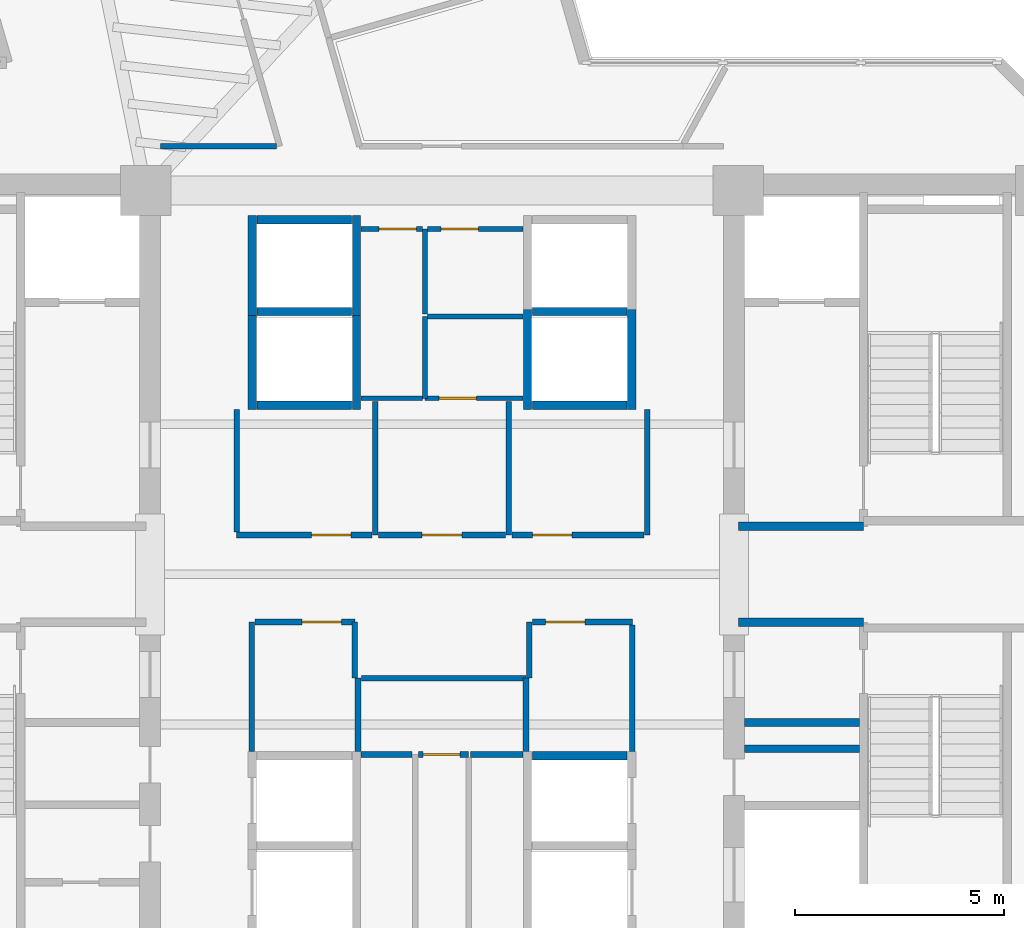
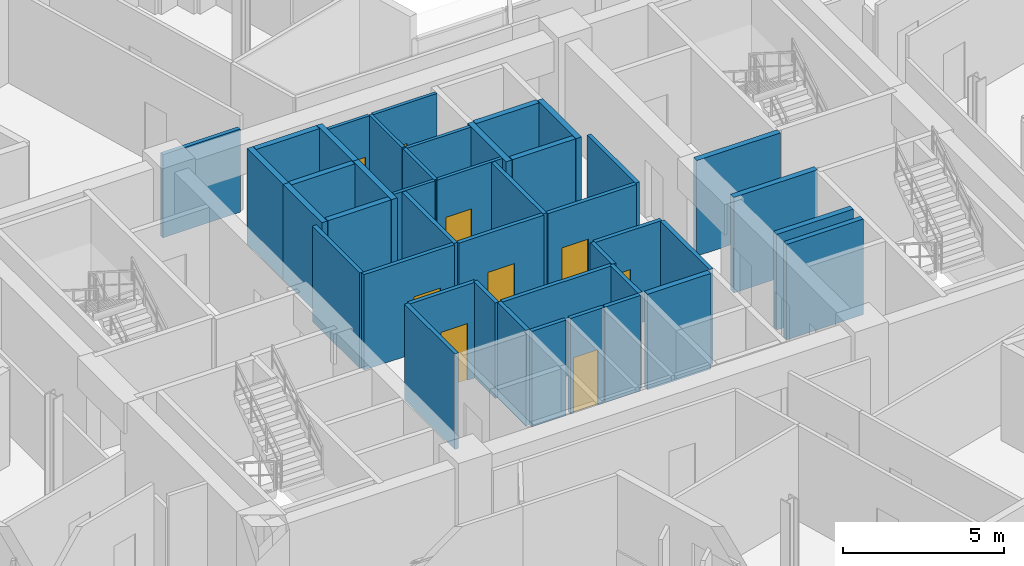
# One storey, part 7 of 14: 43 walls, 9 doors, 9 openings.
"""IFC4 building model written with IfcOpenShell, lengths in metres."""

import ifcopenshell
import ifcopenshell.guid

model = None  # the IFC model being written
_history = None  # IfcOwnerHistory: only IFC2X3 demands one
_inside = {}  # id of a spatial element -> (the spatial element, [elements in it])
_under = {}  # id of a project, library or spatial element -> (it, [spatial elements below it])
_declared = {}  # id of a project -> (the project, [libraries it declares])
_typed = {}  # id of a type object -> (the type object, [elements of that type])
_made_of = {}  # id of a material, layer set ... -> (it, [elements and type objects made of it])


def new_model(schema):
    """Start an empty IFC model of exactly this schema.

    Asked for "IFC4X3", IfcOpenShell would pick the latest addendum, in which some entities
    have other attributes; the version numbers below select the first issue.
    IFC2X3 requires an IfcOwnerHistory on every rooted entity: one is made here for all.
    """
    global model, _history
    if schema == "IFC4X3":
        model = ifcopenshell.file(schema_version=(4, 3, 0, 0))
    else:
        model = ifcopenshell.file(schema=schema)
    _inside.clear()
    _under.clear()
    _declared.clear()
    _typed.clear()
    _made_of.clear()
    _history = None
    if model.schema == "IFC2X3":
        org = make("IfcOrganization", Name="unknown")
        user = make(
            "IfcPersonAndOrganization",
            ThePerson=make("IfcPerson", FamilyName="unknown"),
            TheOrganization=org,
        )
        app = make(
            "IfcApplication",
            ApplicationDeveloper=org,
            Version="unknown",
            ApplicationFullName="unknown",
            ApplicationIdentifier="unknown",
        )
        _history = make(
            "IfcOwnerHistory",
            OwningUser=user,
            OwningApplication=app,
            ChangeAction="ADDED",
            CreationDate=0,
        )
    return model


def make(cls, **values):
    """One entity of the class cls with the attributes given. An attribute that is None is left unset."""
    return model.create_entity(
        cls, **{name: value for name, value in values.items() if value is not None}
    )


def rooted(cls, **values):
    """An entity with a GlobalId (a new one), such as an element, a storey or a relation."""
    return make(cls, GlobalId=ifcopenshell.guid.new(), OwnerHistory=_history, **values)


def si_unit(unit_type, name, prefix=None):
    """IfcSIUnit, for example si_unit("LENGTHUNIT", "METRE", prefix="MILLI")."""
    return make("IfcSIUnit", UnitType=unit_type, Prefix=prefix, Name=name)


def assignment(units):
    """IfcUnitAssignment: the units of a project."""
    return None if units is None else make("IfcUnitAssignment", Units=units)


def point(xyz):
    """IfcCartesianPoint."""
    return None if xyz is None else make("IfcCartesianPoint", Coordinates=xyz)


def direction(xyz):
    """IfcDirection."""
    return None if xyz is None else make("IfcDirection", DirectionRatios=xyz)


def frame(location, z_axis=None, x_axis=None):
    """IfcAxis2Placement3D, a coordinate frame: its origin and axes. An axis left out is left unset."""
    return make(
        "IfcAxis2Placement3D",
        Location=point(location),
        Axis=direction(z_axis),
        RefDirection=direction(x_axis),
    )


def frame_2d(location, x_axis=None):
    """IfcAxis2Placement2D, a coordinate frame in the plane: its origin and x axis."""
    return make(
        "IfcAxis2Placement2D", Location=point(location), RefDirection=direction(x_axis)
    )


def origin():
    """The frame at (0, 0, 0) with its axes left unset."""
    return frame((0.0, 0.0, 0.0))


def place(relative_to, where):
    """IfcLocalPlacement: puts the frame where relative to a parent placement (None: the world)."""
    return make(
        "IfcLocalPlacement", PlacementRelTo=relative_to, RelativePlacement=where
    )


def context(
    kind, dimensions, precision=None, world=None, true_north=None, identifier=None
):
    """IfcGeometricRepresentationContext, for example the 3D "Model" context."""
    return make(
        "IfcGeometricRepresentationContext",
        ContextIdentifier=identifier,
        ContextType=kind,
        CoordinateSpaceDimension=dimensions,
        Precision=precision,
        WorldCoordinateSystem=world,
        TrueNorth=true_north,
    )


def subcontext(parent, identifier, kind, view, scale=None):
    """IfcGeometricRepresentationSubContext, for example "Body" below "Model"."""
    return make(
        "IfcGeometricRepresentationSubContext",
        ContextIdentifier=identifier,
        ContextType=kind,
        ParentContext=parent,
        TargetScale=scale,
        TargetView=view,
    )


def project(units=None, contexts=None):
    """IfcProject with its units and contexts."""
    return rooted(
        "IfcProject",
        Name="project",
        RepresentationContexts=contexts,
        UnitsInContext=assignment(units),
    )


def spatial(cls, under=None, at=None, **own):
    """A site, building, storey or space (cls), placed at a placement, below another one or the project."""
    s = rooted(cls, ObjectPlacement=at, **own)
    if under is not None:
        _under.setdefault(under.id(), (under, []))[1].append(s)
    return s


def profile(cls, at=None, kind="AREA", **sizes):
    """A parametric profile (cls). Its sizes go by their IFC names, for example OverallWidth=200.0."""
    return make(cls, ProfileType=kind, Position=at, **sizes)


def rectangle(**sizes):
    """IfcRectangleProfileDef."""
    return profile("IfcRectangleProfileDef", **sizes)


def extrude(swept, where, along, depth):
    """IfcExtrudedAreaSolid: the profile swept, set in the frame where, extruded along a direction by depth."""
    return make(
        "IfcExtrudedAreaSolid",
        SweptArea=swept,
        Position=where,
        ExtrudedDirection=direction(along),
        Depth=depth,
    )


def shape(context_of_items, identifier, shape_type, items):
    """IfcShapeRepresentation: the items that make up one representation, for example the "Body"."""
    return make(
        "IfcShapeRepresentation",
        ContextOfItems=context_of_items,
        RepresentationIdentifier=identifier,
        RepresentationType=shape_type,
        Items=items,
    )


def source(mapping_origin, context_of_items, identifier, shape_type, items):
    """IfcRepresentationMap: a shape defined once, which mapped items show again and again."""
    return make(
        "IfcRepresentationMap",
        MappingOrigin=mapping_origin,
        MappedRepresentation=shape(context_of_items, identifier, shape_type, items),
    )


def transform(
    local_origin,
    x_axis=None,
    y_axis=None,
    z_axis=None,
    scale=None,
    scale2=None,
    scale3=None,
    uniform=True,
):
    """IfcCartesianTransformationOperator3D, or its non-uniform kind. x_axis, y_axis, z_axis: its Axis1, 2, 3."""
    if uniform:
        return make(
            "IfcCartesianTransformationOperator3D",
            Axis1=direction(x_axis),
            Axis2=direction(y_axis),
            LocalOrigin=point(local_origin),
            Scale=scale,
            Axis3=direction(z_axis),
        )
    return make(
        "IfcCartesianTransformationOperator3DnonUniform",
        Axis1=direction(x_axis),
        Axis2=direction(y_axis),
        LocalOrigin=point(local_origin),
        Scale=scale,
        Axis3=direction(z_axis),
        Scale2=scale2,
        Scale3=scale3,
    )


def mapped(mapping_source, mapping_target):
    """IfcMappedItem: shows the shape of a source again, moved by a transform."""
    return make(
        "IfcMappedItem", MappingSource=mapping_source, MappingTarget=mapping_target
    )


def material(Name=None, Category=None):
    """IfcMaterial."""
    return make("IfcMaterial", Name=Name, Category=Category)


def layer(
    of_material, thickness, ventilated=None, Name=None, Category=None, Priority=None
):
    """IfcMaterialLayer: one layer of a wall or slab, of a material (None: an air gap)."""
    return make(
        "IfcMaterialLayer",
        Material=of_material,
        LayerThickness=thickness,
        IsVentilated=ventilated,
        Name=Name,
        Category=Category,
        Priority=Priority,
    )


def layer_set(layers, Name=None):
    """IfcMaterialLayerSet."""
    return make("IfcMaterialLayerSet", MaterialLayers=layers, LayerSetName=Name)


def made_of(thing, what):
    """Note that an element or type object is made of a material, layer set ...; save() writes the relation."""
    if what is not None:
        _made_of.setdefault(what.id(), (what, []))[1].append(thing)
    return thing


def type_object(cls, material=None, **own):
    """A type object (cls), such as IfcWallType, which elements share."""
    return made_of(rooted(cls, **own), material)


def element(
    cls,
    number,
    at=None,
    inside=None,
    cuts=None,
    type_object=None,
    material=None,
    context=None,
    identifier="Body",
    shape_type=None,
    held_by="IfcProductDefinitionShape",
    body=None,
    shapes=None,
    **own,
):
    """One element of the class cls, such as IfcWall. Its Tag is "e" and its number.

    at: its placement. inside: the storey or other place that contains it. cuts: it is an
    opening in that element (IfcRelVoidsElement). A single representation is given by context,
    identifier, shape_type and body (its items); several are given by shapes. held_by: the class
    of the entity that holds the representations. save() writes the other relations.
    """
    e = rooted(cls, Tag="e%d" % number, ObjectPlacement=at, **own)
    if body is not None:
        shapes = [shape(context, identifier, shape_type, body)]
    if shapes is not None:
        e.Representation = make(held_by, Representations=shapes)
    if inside is not None:
        _inside.setdefault(inside.id(), (inside, []))[1].append(e)
    if cuts is not None:
        rooted(
            "IfcRelVoidsElement", RelatingBuildingElement=cuts, RelatedOpeningElement=e
        )
    if type_object is not None:
        _typed.setdefault(type_object.id(), (type_object, []))[1].append(e)
    return made_of(e, material)


def fill(opening, filler):
    """IfcRelFillsElement: the door or window that sits in an opening."""
    return rooted(
        "IfcRelFillsElement",
        RelatingOpeningElement=opening,
        RelatedBuildingElement=filler,
    )


def aggregate(whole, parts):
    """IfcRelAggregates: a whole, such as a stair, and the parts it consists of."""
    return rooted("IfcRelAggregates", RelatingObject=whole, RelatedObjects=parts)


def save(model, path):
    """Write the relations noted so far, then the file.

    IfcRelAggregates (storeys below a building ...), IfcRelContainedInSpatialStructure (elements
    in a storey), IfcRelDefinesByType, IfcRelAssociatesMaterial and IfcRelDeclares: one each for
    every whole, place, type object, material and project.
    """
    for whole, parts in _under.values():
        aggregate(whole, parts)
    for where, things in _inside.values():
        rooted(
            "IfcRelContainedInSpatialStructure",
            RelatedElements=things,
            RelatingStructure=where,
        )
    for kind, things in _typed.values():
        rooted("IfcRelDefinesByType", RelatedObjects=things, RelatingType=kind)
    for what, things in _made_of.values():
        rooted("IfcRelAssociatesMaterial", RelatedObjects=things, RelatingMaterial=what)
    for by, libraries in _declared.values():
        rooted("IfcRelDeclares", RelatingContext=by, RelatedDefinitions=libraries)
    model.write(path)


model = new_model("IFC4")

# Units and contexts
model_context = context("Model", 3, precision=1e-05, world=origin(), true_north=direction((0.0, 1.0)))
body_context = subcontext(model_context, "Body", "Model", "MODEL_VIEW")
ifc_project = project(units=[si_unit("LENGTHUNIT", "METRE"), si_unit("AREAUNIT", "SQUARE_METRE"), si_unit("VOLUMEUNIT", "CUBIC_METRE"), si_unit("PLANEANGLEUNIT", "RADIAN"), si_unit("MASSUNIT", "GRAM", prefix="KILO")], contexts=[model_context])

# Site, building, storey
site_placement = place(None, origin())
site = spatial("IfcSite", under=ifc_project, at=site_placement, CompositionType="ELEMENT")
building_placement = place(site_placement, origin())
building = spatial("IfcBuilding", under=site, at=building_placement, Name="Zahravan Cultural Tower", CompositionType="ELEMENT")
storey_placement = place(building_placement, frame((0.0, 0.0, 209.699951171875)))
storey = spatial("IfcBuildingStorey", under=building, at=storey_placement, Name="L49", CompositionType="ELEMENT", Elevation=209.699951171875)

# Wall, opening, door
ifc_material_1 = material(Name="Gypsum plasterboard partition")
ifc_layer_1 = layer(ifc_material_1, 0.139892578125)
ifc_layer_set_1 = layer_set([ifc_layer_1], Name="Gypsum plasterboard partition")
wall_type_1 = type_object("IfcWallType", Name="W-PART-140", PredefinedType="PARTITIONING", material=ifc_layer_set_1)
wall_1_placement = place(storey_placement, frame((35.43505859375, 22.679931640625, 0.0), z_axis=(0.0, 0.0, 1.0), x_axis=(1.0, 0.0, 0.0)))
wall_1 = element("IfcWall", 1, at=wall_1_placement, inside=storey, type_object=wall_type_1, Name="L49 Interior Wall 063", PredefinedType="PARTITIONING", context=body_context, shape_type="SweptSolid", body=[
    extrude(rectangle(XDim=1.204833984375, YDim=0.139892578125, at=frame_2d((0.6025390625, 0.0))), origin(), (0.0, 0.0, 1.0), 3.6201171875),
])
opening_1_placement = place(wall_1_placement, frame((0.11376953125, 0.0, 0.0)))
opening_1 = element("IfcOpeningElement", 2, at=opening_1_placement, cuts=wall_1, Name="Opening D-L49-34", PredefinedType="OPENING", context=body_context, shape_type="SweptSolid", body=[
    extrude(rectangle(XDim=0.8798828125, YDim=2.10009765625, at=frame_2d((0.43994140625, 1.050048828125))), frame((0.0, 0.079833984375, 0.0), z_axis=(0.0, -1.0, 0.0), x_axis=(1.0, 0.0, 0.0)), (0.0, 0.0, 1.0), 0.159912109375),
])
ifc_material_2 = material(Name="Anodised bronze-aluminium mullion", Category="aluminium")
door_type_1 = type_object("IfcDoorType", Name="DR-ROOM-880", OperationType="NOTDEFINED", PredefinedType="DOOR", material=ifc_material_2)
shared_shape_1 = source(origin(), body_context, "Body", "SweptSolid", [
    extrude(rectangle(XDim=0.8798828125, YDim=2.10009765625, at=frame_2d((0.43994140625, 1.050048828125))), frame((0.0, 0.02490234375, 0.0), z_axis=(0.0, -1.0, 0.0), x_axis=(1.0, 0.0, 0.0)), (0.0, 0.0, 1.0), 0.050048828125),
])
door_1_placement = place(opening_1_placement, origin())
door_1 = element("IfcDoor", 3, at=door_1_placement, inside=storey, type_object=door_type_1, Name="L49 Door D-L49-34", OperationType="SINGLE_SWING_RIGHT", OverallHeight=2.10009765625, OverallWidth=0.8798828125, PredefinedType="DOOR", context=body_context, shape_type="MappedRepresentation", body=[
    mapped(shared_shape_1, transform((0.0, 0.0, 0.0), x_axis=(1.0, 0.0, 0.0), y_axis=(0.0, 1.0, 0.0), z_axis=(0.0, 0.0, 1.0), scale=1.0)),
])
fill(opening_1, door_1)

wall_2_placement = place(storey_placement, frame((31.514892578125, 25.860107421875, 0.0), z_axis=(0.0, 0.0, 1.0), x_axis=(1.0, 0.0, 0.0)))
wall_2 = element("IfcWall", 4, at=wall_2_placement, inside=storey, type_object=wall_type_1, Name="L49 Interior Wall 076", PredefinedType="PARTITIONING", context=body_context, shape_type="SweptSolid", body=[
    extrude(rectangle(XDim=2.39501953125, YDim=0.139892578125, at=frame_2d((1.197509765625, 0.0))), origin(), (0.0, 0.0, 1.0), 3.6201171875),
])
opening_2_placement = place(wall_2_placement, frame((1.127197265625, 0.0, 0.0)))
opening_2 = element("IfcOpeningElement", 5, at=opening_2_placement, cuts=wall_2, Name="Opening D-L49-13", PredefinedType="OPENING", context=body_context, shape_type="SweptSolid", body=[
    extrude(rectangle(XDim=0.949951171875, YDim=2.14990234375, at=frame_2d((0.47509765625, 1.074951171875))), frame((0.0, 0.079833984375, 0.0), z_axis=(0.0, -1.0, 0.0), x_axis=(1.0, 0.0, 0.0)), (0.0, 0.0, 1.0), 0.159912109375),
])
door_type_2 = type_object("IfcDoorType", Name="DR-ROOM-950", OperationType="NOTDEFINED", PredefinedType="DOOR", material=ifc_material_2)
shared_shape_2 = source(origin(), body_context, "Body", "SweptSolid", [
    extrude(rectangle(XDim=0.949951171875, YDim=2.14990234375, at=frame_2d((0.47509765625, 1.074951171875))), frame((0.0, 0.02490234375, 0.0), z_axis=(0.0, -1.0, 0.0), x_axis=(1.0, 0.0, 0.0)), (0.0, 0.0, 1.0), 0.050048828125),
])
door_2_placement = place(opening_2_placement, origin())
door_2 = element("IfcDoor", 6, at=door_2_placement, inside=storey, type_object=door_type_2, Name="L49 Door D-L49-13", OperationType="SINGLE_SWING_LEFT", OverallHeight=2.14990234375, OverallWidth=0.949951171875, PredefinedType="DOOR", context=body_context, shape_type="MappedRepresentation", body=[
    mapped(shared_shape_2, transform((0.0, 0.0, 0.0), x_axis=(1.0, 0.0, 0.0), y_axis=(0.0, 1.0, 0.0), z_axis=(0.0, 0.0, 1.0), scale=1.0)),
])
fill(opening_2, door_2)

wall_3_placement = place(storey_placement, frame((38.1650390625, 25.860107421875, 0.0), z_axis=(0.0, 0.0, 1.0), x_axis=(1.0, 0.0, 0.0)))
wall_3 = element("IfcWall", 7, at=wall_3_placement, inside=storey, type_object=wall_type_1, Name="L49 Interior Wall 079", PredefinedType="PARTITIONING", context=body_context, shape_type="SweptSolid", body=[
    extrude(rectangle(XDim=2.39501953125, YDim=0.139892578125, at=frame_2d((1.197509765625, 0.0))), origin(), (0.0, 0.0, 1.0), 3.6201171875),
])
opening_3_placement = place(wall_3_placement, frame((0.31787109375, 0.0, 0.0)))
opening_3 = element("IfcOpeningElement", 8, at=opening_3_placement, cuts=wall_3, Name="Opening D-L49-14", PredefinedType="OPENING", context=body_context, shape_type="SweptSolid", body=[
    extrude(rectangle(XDim=0.949951171875, YDim=2.14990234375, at=frame_2d((0.47509765625, 1.074951171875))), frame((0.0, 0.079833984375, 0.0), z_axis=(0.0, -1.0, 0.0), x_axis=(1.0, 0.0, 0.0)), (0.0, 0.0, 1.0), 0.159912109375),
])
door_3_placement = place(opening_3_placement, origin())
door_3 = element("IfcDoor", 9, at=door_3_placement, inside=storey, type_object=door_type_2, Name="L49 Door D-L49-14", OperationType="SINGLE_SWING_RIGHT", OverallHeight=2.14990234375, OverallWidth=0.949951171875, PredefinedType="DOOR", context=body_context, shape_type="MappedRepresentation", body=[
    mapped(shared_shape_2, transform((0.0, 0.0, 0.0), x_axis=(1.0, 0.0, 0.0), y_axis=(0.0, 1.0, 0.0), z_axis=(0.0, 0.0, 1.0), scale=1.0)),
])
fill(opening_3, door_3)

wall_4_placement = place(storey_placement, frame((37.52490234375, 27.93994140625, 0.0), z_axis=(0.0, 0.0, 1.0), x_axis=(-1.0, 0.0, 0.0)))
wall_4 = element("IfcWall", 10, at=wall_4_placement, inside=storey, type_object=wall_type_1, Name="L49 Interior Wall 083", PredefinedType="PARTITIONING", context=body_context, shape_type="SweptSolid", body=[
    extrude(rectangle(XDim=3.0498046875, YDim=0.139892578125, at=frame_2d((1.52490234375, 0.0))), origin(), (0.0, 0.0, 1.0), 3.6201171875),
])
opening_4_placement = place(wall_4_placement, frame((1.050048828125, 0.0, 0.0)))
opening_4 = element("IfcOpeningElement", 11, at=opening_4_placement, cuts=wall_4, Name="Opening D-L49-18", PredefinedType="OPENING", context=body_context, shape_type="SweptSolid", body=[
    extrude(rectangle(XDim=0.949951171875, YDim=2.14990234375, at=frame_2d((0.47509765625, 1.074951171875))), frame((0.0, 0.079833984375, 0.0), z_axis=(0.0, -1.0, 0.0), x_axis=(1.0, 0.0, 0.0)), (0.0, 0.0, 1.0), 0.159912109375),
])
door_4_placement = place(opening_4_placement, origin())
door_4 = element("IfcDoor", 12, at=door_4_placement, inside=storey, type_object=door_type_2, Name="L49 Door D-L49-18", OperationType="SINGLE_SWING_RIGHT", OverallHeight=2.14990234375, OverallWidth=0.949951171875, PredefinedType="DOOR", context=body_context, shape_type="MappedRepresentation", body=[
    mapped(shared_shape_2, transform((0.0, 0.0, 0.0), x_axis=(1.0, 0.0, 0.0), y_axis=(0.0, 1.0, 0.0), z_axis=(0.0, 0.0, 1.0), scale=1.0)),
])
fill(opening_4, door_4)

wall_5_placement = place(storey_placement, frame((34.324951171875, 27.93994140625, 0.0), z_axis=(0.0, 0.0, 1.0), x_axis=(-1.0, 0.0, 0.0)))
wall_5 = element("IfcWall", 13, at=wall_5_placement, inside=storey, type_object=wall_type_1, Name="L49 Interior Wall 084", PredefinedType="PARTITIONING", context=body_context, shape_type="SweptSolid", body=[
    extrude(rectangle(XDim=3.244873046875, YDim=0.139892578125, at=frame_2d((1.62255859375, 0.0))), origin(), (0.0, 0.0, 1.0), 3.6201171875),
])
opening_5_placement = place(wall_5_placement, frame((0.5048828125, 0.0, 0.0)))
opening_5 = element("IfcOpeningElement", 14, at=opening_5_placement, cuts=wall_5, Name="Opening D-L49-17", PredefinedType="OPENING", context=body_context, shape_type="SweptSolid", body=[
    extrude(rectangle(XDim=0.949951171875, YDim=2.14990234375, at=frame_2d((0.47509765625, 1.074951171875))), frame((0.0, 0.079833984375, 0.0), z_axis=(0.0, -1.0, 0.0), x_axis=(1.0, 0.0, 0.0)), (0.0, 0.0, 1.0), 0.159912109375),
])
door_5_placement = place(opening_5_placement, origin())
door_5 = element("IfcDoor", 15, at=door_5_placement, inside=storey, type_object=door_type_2, Name="L49 Door D-L49-17", OperationType="SINGLE_SWING_LEFT", OverallHeight=2.14990234375, OverallWidth=0.949951171875, PredefinedType="DOOR", context=body_context, shape_type="MappedRepresentation", body=[
    mapped(shared_shape_2, transform((0.0, 0.0, 0.0), x_axis=(1.0, 0.0, 0.0), y_axis=(0.0, 1.0, 0.0), z_axis=(0.0, 0.0, 1.0), scale=1.0)),
])
fill(opening_5, door_5)

wall_6_placement = place(storey_placement, frame((40.844970703125, 27.93994140625, 0.0), z_axis=(0.0, 0.0, 1.0), x_axis=(-1.0, 0.0, 0.0)))
wall_6 = element("IfcWall", 16, at=wall_6_placement, inside=storey, type_object=wall_type_1, Name="L49 Interior Wall 087", PredefinedType="PARTITIONING", context=body_context, shape_type="SweptSolid", body=[
    extrude(rectangle(XDim=3.169921875, YDim=0.139892578125, at=frame_2d((1.5849609375, 0.0))), origin(), (0.0, 0.0, 1.0), 3.6201171875),
])
opening_6_placement = place(wall_6_placement, frame((1.731689453125, 0.0, 0.0)))
opening_6 = element("IfcOpeningElement", 17, at=opening_6_placement, cuts=wall_6, Name="Opening D-L49-19", PredefinedType="OPENING", context=body_context, shape_type="SweptSolid", body=[
    extrude(rectangle(XDim=0.949951171875, YDim=2.14990234375, at=frame_2d((0.47509765625, 1.074951171875))), frame((0.0, 0.079833984375, 0.0), z_axis=(0.0, -1.0, 0.0), x_axis=(1.0, 0.0, 0.0)), (0.0, 0.0, 1.0), 0.159912109375),
])
door_6_placement = place(opening_6_placement, origin())
door_6 = element("IfcDoor", 18, at=door_6_placement, inside=storey, type_object=door_type_2, Name="L49 Door D-L49-19", OperationType="SINGLE_SWING_LEFT", OverallHeight=2.14990234375, OverallWidth=0.949951171875, PredefinedType="DOOR", context=body_context, shape_type="MappedRepresentation", body=[
    mapped(shared_shape_2, transform((0.0, 0.0, 0.0), x_axis=(1.0, 0.0, 0.0), y_axis=(0.0, 1.0, 0.0), z_axis=(0.0, 0.0, 1.0), scale=1.0)),
])
fill(opening_6, door_6)

ifc_layer_2 = layer(ifc_material_1, 0.114990234375)
ifc_layer_set_2 = layer_set([ifc_layer_2], Name="Gypsum plasterboard partition")
wall_type_2 = type_object("IfcWallType", Name="W-WC-115", PredefinedType="PARTITIONING", material=ifc_layer_set_2)
wall_7_placement = place(storey_placement, frame((37.945068359375, 31.219970703125, 0.0), z_axis=(0.0, 0.0, 1.0), x_axis=(-1.0, 0.0, 0.0)))
wall_7 = element("IfcWall", 19, at=wall_7_placement, inside=storey, type_object=wall_type_2, Name="L49 Interior Wall 057", PredefinedType="PARTITIONING", context=body_context, shape_type="SweptSolid", body=[
    extrude(rectangle(XDim=2.35498046875, YDim=0.114990234375, at=frame_2d((1.177490234375, 0.0))), origin(), (0.0, 0.0, 1.0), 3.6201171875),
])
opening_7_placement = place(wall_7_placement, frame((1.120849609375, 0.0, 0.0)))
opening_7 = element("IfcOpeningElement", 20, at=opening_7_placement, cuts=wall_7, Name="Opening D-L49-35", PredefinedType="OPENING", context=body_context, shape_type="SweptSolid", body=[
    extrude(rectangle(XDim=0.89990234375, YDim=2.10009765625, at=frame_2d((0.449951171875, 1.050048828125))), frame((0.0, 0.0673828125, 0.0), z_axis=(0.0, -1.0, 0.0), x_axis=(1.0, 0.0, 0.0)), (0.0, 0.0, 1.0), 0.135009765625),
])
door_type_3 = type_object("IfcDoorType", Name="DR-WC-900", OperationType="NOTDEFINED", PredefinedType="DOOR", material=ifc_material_2)
shared_shape_3 = source(origin(), body_context, "Body", "SweptSolid", [
    extrude(rectangle(XDim=0.89990234375, YDim=2.10009765625, at=frame_2d((0.449951171875, 1.050048828125))), frame((0.0, 0.02490234375, 0.0), z_axis=(0.0, -1.0, 0.0), x_axis=(1.0, 0.0, 0.0)), (0.0, 0.0, 1.0), 0.050048828125),
])
door_7_placement = place(opening_7_placement, origin())
door_7 = element("IfcDoor", 21, at=door_7_placement, inside=storey, type_object=door_type_3, Name="L49 Door D-L49-35", OperationType="SINGLE_SWING_LEFT", OverallHeight=2.10009765625, OverallWidth=0.89990234375, PredefinedType="DOOR", context=body_context, shape_type="MappedRepresentation", body=[
    mapped(shared_shape_3, transform((0.0, 0.0, 0.0), x_axis=(1.0, 0.0, 0.0), y_axis=(0.0, 1.0, 0.0), z_axis=(0.0, 0.0, 1.0), scale=1.0)),
])
fill(opening_7, door_7)

wall_8_placement = place(storey_placement, frame((35.652587890625, 35.280029296875, 0.0), z_axis=(0.0, 0.0, 1.0), x_axis=(1.0, 0.0, 0.0)))
wall_8 = element("IfcWall", 22, at=wall_8_placement, inside=storey, type_object=wall_type_2, Name="L49 Interior Wall 061", PredefinedType="PARTITIONING", context=body_context, shape_type="SweptSolid", body=[
    extrude(rectangle(XDim=2.29248046875, YDim=0.114990234375, at=frame_2d((1.146240234375, 0.0))), origin(), (0.0, 0.0, 1.0), 3.6201171875),
])
opening_8_placement = place(wall_8_placement, frame((0.3203125, 0.0, 0.0)))
opening_8 = element("IfcOpeningElement", 23, at=opening_8_placement, cuts=wall_8, Name="Opening D-L49-16", PredefinedType="OPENING", context=body_context, shape_type="SweptSolid", body=[
    extrude(rectangle(XDim=0.89990234375, YDim=2.10009765625, at=frame_2d((0.449951171875, 1.050048828125))), frame((0.0, 0.0673828125, 0.0), z_axis=(0.0, -1.0, 0.0), x_axis=(1.0, 0.0, 0.0)), (0.0, 0.0, 1.0), 0.135009765625),
])
door_8_placement = place(opening_8_placement, origin())
door_8 = element("IfcDoor", 24, at=door_8_placement, inside=storey, type_object=door_type_3, Name="L49 Door D-L49-16", OperationType="SINGLE_SWING_RIGHT", OverallHeight=2.10009765625, OverallWidth=0.89990234375, PredefinedType="DOOR", context=body_context, shape_type="MappedRepresentation", body=[
    mapped(shared_shape_3, transform((0.0, 0.0, 0.0), x_axis=(1.0, 0.0, 0.0), y_axis=(0.0, 1.0, 0.0), z_axis=(0.0, 0.0, 1.0), scale=1.0)),
])
fill(opening_8, door_8)

wall_9_placement = place(storey_placement, frame((34.054931640625, 35.280029296875, 0.0), z_axis=(0.0, 0.0, 1.0), x_axis=(1.0, 0.0, 0.0)))
wall_9 = element("IfcWall", 25, at=wall_9_placement, inside=storey, type_object=wall_type_2, Name="L49 Interior Wall 071", PredefinedType="PARTITIONING", context=body_context, shape_type="SweptSolid", body=[
    extrude(rectangle(XDim=1.47265625, YDim=0.114990234375, at=frame_2d((0.736328125, 0.0))), origin(), (0.0, 0.0, 1.0), 3.6201171875),
])
opening_9_placement = place(wall_9_placement, frame((0.4326171875, 0.0, 0.0)))
opening_9 = element("IfcOpeningElement", 26, at=opening_9_placement, cuts=wall_9, Name="Opening D-L49-15", PredefinedType="OPENING", context=body_context, shape_type="SweptSolid", body=[
    extrude(rectangle(XDim=0.89990234375, YDim=2.10009765625, at=frame_2d((0.449951171875, 1.050048828125))), frame((0.0, 0.0673828125, 0.0), z_axis=(0.0, -1.0, 0.0), x_axis=(1.0, 0.0, 0.0)), (0.0, 0.0, 1.0), 0.135009765625),
])
door_9_placement = place(opening_9_placement, origin())
door_9 = element("IfcDoor", 27, at=door_9_placement, inside=storey, type_object=door_type_3, Name="L49 Door D-L49-15", OperationType="SINGLE_SWING_LEFT", OverallHeight=2.10009765625, OverallWidth=0.89990234375, PredefinedType="DOOR", context=body_context, shape_type="MappedRepresentation", body=[
    mapped(shared_shape_3, transform((0.0, 0.0, 0.0), x_axis=(1.0, 0.0, 0.0), y_axis=(0.0, 1.0, 0.0), z_axis=(0.0, 0.0, 1.0), scale=1.0)),
])
fill(opening_9, door_9)

# Walls
ifc_material_3 = material(Name="Concrete C45/55", Category="concrete")
ifc_layer_3 = layer(ifc_material_3, 0.199951171875)
ifc_layer_set_3 = layer_set([ifc_layer_3], Name="Concrete C45/55")
wall_type_3 = type_object("IfcWallType", Name="W-SHAFT-200", PredefinedType="SOLIDWALL", material=ifc_layer_set_3)
shared_shape_4 = source(origin(), body_context, "Body", "SweptSolid", [
    extrude(rectangle(XDim=3.0, YDim=0.199951171875, at=frame_2d((1.5, 0.0))), origin(), (0.0, 0.0, 1.0), 3.6201171875),
])
for number, where, z_axis, x_axis, name in (
    (28, (43.10009765625, 25.85009765625, 0.0), (0.0, 0.0, 1.0), (1.0, 0.0, 0.0), "L49 Interior Wall 013"),
    (29, (43.10009765625, 28.14990234375, 0.0), (0.0, 0.0, 1.0), (1.0, 0.0, 0.0), "L49 Interior Wall 015"),
):
    element("IfcWall", number, at=place(storey_placement, frame(where, z_axis=z_axis, x_axis=x_axis)), inside=storey, type_object=wall_type_3, Name=name, PredefinedType="SOLIDWALL", context=body_context, shape_type="MappedRepresentation", body=[
        mapped(shared_shape_4, transform((0.0, 0.0, 0.0), x_axis=(1.0, 0.0, 0.0), y_axis=(0.0, 1.0, 0.0), z_axis=(0.0, 0.0, 1.0), scale=1.0)),
    ])
shared_shape_5 = source(origin(), body_context, "Body", "SweptSolid", [
    extrude(rectangle(XDim=2.75, YDim=0.199951171875, at=frame_2d((1.375, 0.0))), origin(), (0.0, 0.0, 1.0), 3.6201171875),
])
wall_10_placement = place(storey_placement, frame((43.25, 23.449951171875, 0.0), z_axis=(0.0, 0.0, 1.0), x_axis=(1.0, 0.0, 0.0)))
element("IfcWall", 30, at=wall_10_placement, inside=storey, type_object=wall_type_3, Name="L49 Interior Wall 024", PredefinedType="SOLIDWALL", context=body_context, shape_type="MappedRepresentation", body=[
    mapped(shared_shape_5, transform((0.0, 0.0, 0.0), x_axis=(1.0, 0.0, 0.0), y_axis=(0.0, 1.0, 0.0), z_axis=(0.0, 0.0, 1.0), scale=1.0)),
])
ifc_layer_4 = layer(ifc_material_1, 0.179931640625)
ifc_layer_set_4 = layer_set([ifc_layer_4], Name="Gypsum plasterboard partition")
wall_type_4 = type_object("IfcWallType", Name="W-COMP-180", PredefinedType="PARTITIONING", material=ifc_layer_set_4)
shared_shape_6 = source(origin(), body_context, "Body", "SweptSolid", [
    extrude(rectangle(XDim=2.75, YDim=0.179931640625, at=frame_2d((1.375, 0.0))), origin(), (0.0, 0.0, 1.0), 3.6201171875),
])
wall_11_placement = place(storey_placement, frame((43.25, 22.820068359375, 0.0), z_axis=(0.0, 0.0, 1.0), x_axis=(1.0, 0.0, 0.0)))
element("IfcWall", 31, at=wall_11_placement, inside=storey, type_object=wall_type_4, Name="L49 Interior Wall 028", PredefinedType="PARTITIONING", context=body_context, shape_type="MappedRepresentation", body=[
    mapped(shared_shape_6, transform((0.0, 0.0, 0.0), x_axis=(1.0, 0.0, 0.0), y_axis=(0.0, 1.0, 0.0), z_axis=(0.0, 0.0, 1.0), scale=1.0)),
])
shared_shape_7 = source(origin(), body_context, "Body", "SweptSolid", [
    extrude(rectangle(XDim=2.400146484375, YDim=0.199951171875, at=frame_2d((1.2001953125, 0.0))), origin(), (0.0, 0.0, 1.0), 3.6201171875),
])
for number, where, z_axis, x_axis, name in (
    (32, (31.449951171875, 33.199951171875, 0.0), (0.0, 0.0, 1.0), (0.0, 1.0, 0.0), "L49 Interior Wall 029"),
    (33, (33.949951171875, 33.199951171875, 0.0), (0.0, 0.0, 1.0), (0.0, 1.0, 0.0), "L49 Interior Wall 030"),
    (34, (31.449951171875, 30.949951171875, 0.0), (0.0, 0.0, 1.0), (0.0, 1.0, 0.0), "L49 Interior Wall 033"),
    (35, (33.949951171875, 30.949951171875, 0.0), (0.0, 0.0, 1.0), (0.0, 1.0, 0.0), "L49 Interior Wall 034"),
    (36, (38.050048828125, 30.949951171875, 0.0), (0.0, 0.0, 1.0), (0.0, 1.0, 0.0), "L49 Interior Wall 040"),
    (37, (40.550048828125, 30.949951171875, 0.0), (0.0, 0.0, 1.0), (0.0, 1.0, 0.0), "L49 Interior Wall 041"),
):
    element("IfcWall", number, at=place(storey_placement, frame(where, z_axis=z_axis, x_axis=x_axis)), inside=storey, type_object=wall_type_3, Name=name, PredefinedType="SOLIDWALL", context=body_context, shape_type="MappedRepresentation", body=[
        mapped(shared_shape_7, transform((0.0, 0.0, 0.0), x_axis=(1.0, 0.0, 0.0), y_axis=(0.0, 1.0, 0.0), z_axis=(0.0, 0.0, 1.0), scale=1.0)),
    ])
shared_shape_8 = source(origin(), body_context, "Body", "SweptSolid", [
    extrude(rectangle(XDim=2.260009765625, YDim=0.199951171875, at=frame_2d((1.1298828125, 0.0))), origin(), (0.0, 0.0, 1.0), 3.6201171875),
])
for number, where, z_axis, x_axis, name in (
    (38, (31.570068359375, 33.300048828125, 0.0), (0.0, 0.0, 1.0), (1.0, 0.0, 0.0), "L49 Interior Wall 031"),
    (39, (31.570068359375, 35.5, 0.0), (0.0, 0.0, 1.0), (1.0, 0.0, 0.0), "L49 Interior Wall 032"),
    (40, (31.570068359375, 31.050048828125, 0.0), (0.0, 0.0, 1.0), (1.0, 0.0, 0.0), "L49 Interior Wall 035"),
    (41, (38.169921875, 33.300048828125, 0.0), (0.0, 0.0, 1.0), (1.0, 0.0, 0.0), "L49 Interior Wall 038"),
    (42, (38.169921875, 31.050048828125, 0.0), (0.0, 0.0, 1.0), (1.0, 0.0, 0.0), "L49 Interior Wall 042"),
    (43, (38.169921875, 22.64990234375, 0.0), (0.0, 0.0, 1.0), (1.0, 0.0, 0.0), "L49 Interior Wall 053"),
):
    element("IfcWall", number, at=place(storey_placement, frame(where, z_axis=z_axis, x_axis=x_axis)), inside=storey, type_object=wall_type_3, Name=name, PredefinedType="SOLIDWALL", context=body_context, shape_type="MappedRepresentation", body=[
        mapped(shared_shape_8, transform((0.0, 0.0, 0.0), x_axis=(1.0, 0.0, 0.0), y_axis=(0.0, 1.0, 0.0), z_axis=(0.0, 0.0, 1.0), scale=1.0)),
    ])
shared_shape_9 = source(origin(), body_context, "Body", "SweptSolid", [
    extrude(rectangle(XDim=1.9599609375, YDim=0.114990234375, at=frame_2d((0.97998046875, 0.0))), origin(), (0.0, 0.0, 1.0), 3.6201171875),
])
wall_12_placement = place(storey_placement, frame((35.590087890625, 31.219970703125, 0.0), z_axis=(0.0, 0.0, 1.0), x_axis=(0.0, 1.0, 0.0)))
element("IfcWall", 44, at=wall_12_placement, inside=storey, type_object=wall_type_2, Name="L49 Interior Wall 058", PredefinedType="PARTITIONING", context=body_context, shape_type="MappedRepresentation", body=[
    mapped(shared_shape_9, transform((0.0, 0.0, 0.0), x_axis=(1.0, 0.0, 0.0), y_axis=(0.0, 1.0, 0.0), z_axis=(0.0, 0.0, 1.0), scale=1.0)),
])
shared_shape_10 = source(origin(), body_context, "Body", "SweptSolid", [
    extrude(rectangle(XDim=2.29248046875, YDim=0.114990234375, at=frame_2d((1.146240234375, 0.0))), origin(), (0.0, 0.0, 1.0), 3.6201171875),
])
wall_13_placement = place(storey_placement, frame((35.652587890625, 33.179931640625, 0.0), z_axis=(0.0, 0.0, 1.0), x_axis=(1.0, 0.0, 0.0)))
element("IfcWall", 45, at=wall_13_placement, inside=storey, type_object=wall_type_2, Name="L49 Interior Wall 059", PredefinedType="PARTITIONING", context=body_context, shape_type="MappedRepresentation", body=[
    mapped(shared_shape_10, transform((0.0, 0.0, 0.0), x_axis=(1.0, 0.0, 0.0), y_axis=(0.0, 1.0, 0.0), z_axis=(0.0, 0.0, 1.0), scale=1.0)),
])
shared_shape_11 = source(origin(), body_context, "Body", "SweptSolid", [
    extrude(rectangle(XDim=2.0400390625, YDim=0.114990234375, at=frame_2d((1.02001953125, 0.0))), origin(), (0.0, 0.0, 1.0), 3.6201171875),
])
wall_14_placement = place(storey_placement, frame((35.590087890625, 33.239990234375, 0.0), z_axis=(0.0, 0.0, 1.0), x_axis=(0.0, 1.0, 0.0)))
element("IfcWall", 46, at=wall_14_placement, inside=storey, type_object=wall_type_2, Name="L49 Interior Wall 060", PredefinedType="PARTITIONING", context=body_context, shape_type="MappedRepresentation", body=[
    mapped(shared_shape_11, transform((0.0, 0.0, 0.0), x_axis=(1.0, 0.0, 0.0), y_axis=(0.0, 1.0, 0.0), z_axis=(0.0, 0.0, 1.0), scale=1.0)),
])
shared_shape_12 = source(origin(), body_context, "Body", "SweptSolid", [
    extrude(rectangle(XDim=1.22998046875, YDim=0.139892578125, at=frame_2d((0.614990234375, 0.0))), origin(), (0.0, 0.0, 1.0), 3.6201171875),
])
wall_15_placement = place(storey_placement, frame((34.054931640625, 22.679931640625, 0.0), z_axis=(0.0, 0.0, 1.0), x_axis=(1.0, 0.0, 0.0)))
element("IfcWall", 47, at=wall_15_placement, inside=storey, type_object=wall_type_1, Name="L49 Interior Wall 066", PredefinedType="PARTITIONING", context=body_context, shape_type="MappedRepresentation", body=[
    mapped(shared_shape_12, transform((0.0, 0.0, 0.0), x_axis=(1.0, 0.0, 0.0), y_axis=(0.0, 1.0, 0.0), z_axis=(0.0, 0.0, 1.0), scale=1.0)),
])
shared_shape_13 = source(origin(), body_context, "Body", "SweptSolid", [
    extrude(rectangle(XDim=1.26513671875, YDim=0.139892578125, at=frame_2d((0.632568359375, 0.0))), origin(), (0.0, 0.0, 1.0), 3.6201171875),
])
wall_16_placement = place(storey_placement, frame((36.679931640625, 22.679931640625, 0.0), z_axis=(0.0, 0.0, 1.0), x_axis=(1.0, 0.0, 0.0)))
element("IfcWall", 48, at=wall_16_placement, inside=storey, type_object=wall_type_1, Name="L49 Interior Wall 068", PredefinedType="PARTITIONING", context=body_context, shape_type="MappedRepresentation", body=[
    mapped(shared_shape_13, transform((0.0, 0.0, 0.0), x_axis=(1.0, 0.0, 0.0), y_axis=(0.0, 1.0, 0.0), z_axis=(0.0, 0.0, 1.0), scale=1.0)),
])
shared_shape_14 = source(origin(), body_context, "Body", "SweptSolid", [
    extrude(rectangle(XDim=1.47265625, YDim=0.114990234375, at=frame_2d((0.736328125, 0.0))), origin(), (0.0, 0.0, 1.0), 3.6201171875),
])
wall_17_placement = place(storey_placement, frame((35.527587890625, 31.219970703125, 0.0), z_axis=(0.0, 0.0, 1.0), x_axis=(-1.0, 0.0, 0.0)))
element("IfcWall", 49, at=wall_17_placement, inside=storey, type_object=wall_type_2, Name="L49 Interior Wall 070", PredefinedType="PARTITIONING", context=body_context, shape_type="MappedRepresentation", body=[
    mapped(shared_shape_14, transform((0.0, 0.0, 0.0), x_axis=(1.0, 0.0, 0.0), y_axis=(0.0, 1.0, 0.0), z_axis=(0.0, 0.0, 1.0), scale=1.0)),
])
shared_shape_15 = source(origin(), body_context, "Body", "SweptSolid", [
    extrude(rectangle(XDim=1.760009765625, YDim=0.139892578125, at=frame_2d((0.8798828125, 0.0))), origin(), (0.0, 0.0, 1.0), 3.6201171875),
])
for number, where, z_axis, x_axis, name in (
    (50, (33.989990234375, 22.75, 0.0), (0.0, 0.0, 1.0), (0.0, 1.0, 0.0), "L49 Interior Wall 072"),
    (51, (38.010009765625, 24.510009765625, 0.0), (0.0, 0.0, 1.0), (0.0, -1.0, 0.0), "L49 Interior Wall 074"),
):
    element("IfcWall", number, at=place(storey_placement, frame(where, z_axis=z_axis, x_axis=x_axis)), inside=storey, type_object=wall_type_1, Name=name, PredefinedType="PARTITIONING", context=body_context, shape_type="MappedRepresentation", body=[
        mapped(shared_shape_15, transform((0.0, 0.0, 0.0), x_axis=(1.0, 0.0, 0.0), y_axis=(0.0, 1.0, 0.0), z_axis=(0.0, 0.0, 1.0), scale=1.0)),
    ])
shared_shape_16 = source(origin(), body_context, "Body", "SweptSolid", [
    extrude(rectangle(XDim=3.945068359375, YDim=0.139892578125, at=frame_2d((1.97265625, 0.0))), origin(), (0.0, 0.0, 1.0), 3.6201171875),
])
wall_18_placement = place(storey_placement, frame((34.06494140625, 24.510009765625, 0.0), z_axis=(0.0, 0.0, 1.0), x_axis=(1.0, 0.0, 0.0)))
element("IfcWall", 52, at=wall_18_placement, inside=storey, type_object=wall_type_1, Name="L49 Interior Wall 073", PredefinedType="PARTITIONING", context=body_context, shape_type="MappedRepresentation", body=[
    mapped(shared_shape_16, transform((0.0, 0.0, 0.0), x_axis=(1.0, 0.0, 0.0), y_axis=(0.0, 1.0, 0.0), z_axis=(0.0, 0.0, 1.0), scale=1.0)),
])
shared_shape_17 = source(origin(), body_context, "Body", "SweptSolid", [
    extrude(rectangle(XDim=3.110107421875, YDim=0.139892578125, at=frame_2d((1.55517578125, 0.0))), origin(), (0.0, 0.0, 1.0), 3.6201171875),
])
wall_19_placement = place(storey_placement, frame((31.43994140625, 22.75, 0.0), z_axis=(0.0, 0.0, 1.0), x_axis=(0.0, 1.0, 0.0)))
element("IfcWall", 53, at=wall_19_placement, inside=storey, type_object=wall_type_1, Name="L49 Interior Wall 075", PredefinedType="PARTITIONING", context=body_context, shape_type="MappedRepresentation", body=[
    mapped(shared_shape_17, transform((0.0, 0.0, 0.0), x_axis=(1.0, 0.0, 0.0), y_axis=(0.0, 1.0, 0.0), z_axis=(0.0, 0.0, 1.0), scale=1.0)),
])
shared_shape_18 = source(origin(), body_context, "Body", "SweptSolid", [
    extrude(rectangle(XDim=1.35009765625, YDim=0.139892578125, at=frame_2d((0.675048828125, 0.0))), origin(), (0.0, 0.0, 1.0), 3.6201171875),
])
for number, where, z_axis, x_axis, name in (
    (54, (33.909912109375, 25.860107421875, 0.0), (0.0, 0.0, 1.0), (0.0, -1.0, 0.0), "L49 Interior Wall 077"),
    (55, (38.090087890625, 24.510009765625, 0.0), (0.0, 0.0, 1.0), (0.0, 1.0, 0.0), "L49 Interior Wall 078"),
):
    element("IfcWall", number, at=place(storey_placement, frame(where, z_axis=z_axis, x_axis=x_axis)), inside=storey, type_object=wall_type_1, Name=name, PredefinedType="PARTITIONING", context=body_context, shape_type="MappedRepresentation", body=[
        mapped(shared_shape_18, transform((0.0, 0.0, 0.0), x_axis=(1.0, 0.0, 0.0), y_axis=(0.0, 1.0, 0.0), z_axis=(0.0, 0.0, 1.0), scale=1.0)),
    ])
shared_shape_19 = source(origin(), body_context, "Body", "SweptSolid", [
    extrude(rectangle(XDim=3.034912109375, YDim=0.139892578125, at=frame_2d((1.517578125, 0.0))), origin(), (0.0, 0.0, 1.0), 3.6201171875),
])
wall_20_placement = place(storey_placement, frame((40.56005859375, 25.784912109375, 0.0), z_axis=(0.0, 0.0, 1.0), x_axis=(0.0, -1.0, 0.0)))
element("IfcWall", 56, at=wall_20_placement, inside=storey, type_object=wall_type_1, Name="L49 Interior Wall 080", PredefinedType="PARTITIONING", context=body_context, shape_type="MappedRepresentation", body=[
    mapped(shared_shape_19, transform((0.0, 0.0, 0.0), x_axis=(1.0, 0.0, 0.0), y_axis=(0.0, 1.0, 0.0), z_axis=(0.0, 0.0, 1.0), scale=1.0)),
])
shared_shape_20 = source(origin(), body_context, "Body", "SweptSolid", [
    extrude(rectangle(XDim=3.199951171875, YDim=0.139892578125, at=frame_2d((1.60009765625, 0.0))), origin(), (0.0, 0.0, 1.0), 3.6201171875),
])
for number, where, z_axis, x_axis, name in (
    (57, (34.39990234375, 27.93994140625, 0.0), (0.0, 0.0, 1.0), (0.0, 1.0, 0.0), "L49 Interior Wall 081"),
    (58, (37.60009765625, 31.139892578125, 0.0), (0.0, 0.0, 1.0), (0.0, -1.0, 0.0), "L49 Interior Wall 082"),
):
    element("IfcWall", number, at=place(storey_placement, frame(where, z_axis=z_axis, x_axis=x_axis)), inside=storey, type_object=wall_type_1, Name=name, PredefinedType="PARTITIONING", context=body_context, shape_type="MappedRepresentation", body=[
        mapped(shared_shape_20, transform((0.0, 0.0, 0.0), x_axis=(1.0, 0.0, 0.0), y_axis=(0.0, 1.0, 0.0), z_axis=(0.0, 0.0, 1.0), scale=1.0)),
    ])
shared_shape_21 = source(origin(), body_context, "Body", "SweptSolid", [
    extrude(rectangle(XDim=2.93505859375, YDim=0.139892578125, at=frame_2d((1.467529296875, 0.0))), origin(), (0.0, 0.0, 1.0), 3.6201171875),
])
wall_21_placement = place(storey_placement, frame((31.080078125, 28.014892578125, 0.0), z_axis=(0.0, 0.0, 1.0), x_axis=(0.0, 1.0, 0.0)))
element("IfcWall", 59, at=wall_21_placement, inside=storey, type_object=wall_type_1, Name="L49 Interior Wall 085", PredefinedType="PARTITIONING", context=body_context, shape_type="MappedRepresentation", body=[
    mapped(shared_shape_21, transform((0.0, 0.0, 0.0), x_axis=(1.0, 0.0, 0.0), y_axis=(0.0, 1.0, 0.0), z_axis=(0.0, 0.0, 1.0), scale=1.0)),
])
shared_shape_22 = source(origin(), body_context, "Body", "SweptSolid", [
    extrude(rectangle(XDim=3.010009765625, YDim=0.139892578125, at=frame_2d((1.5048828125, 0.0))), origin(), (0.0, 0.0, 1.0), 3.6201171875),
])
wall_22_placement = place(storey_placement, frame((40.919921875, 30.949951171875, 0.0), z_axis=(0.0, 0.0, 1.0), x_axis=(0.0, -1.0, 0.0)))
element("IfcWall", 60, at=wall_22_placement, inside=storey, type_object=wall_type_1, Name="L49 Interior Wall 086", PredefinedType="PARTITIONING", context=body_context, shape_type="MappedRepresentation", body=[
    mapped(shared_shape_22, transform((0.0, 0.0, 0.0), x_axis=(1.0, 0.0, 0.0), y_axis=(0.0, 1.0, 0.0), z_axis=(0.0, 0.0, 1.0), scale=1.0)),
])
shared_shape_23 = source(origin(), body_context, "Body", "SweptSolid", [
    extrude(rectangle(XDim=2.776123046875, YDim=0.139892578125, at=frame_2d((1.38818359375, 0.0))), origin(), (0.0, 0.0, 1.0), 3.149169921875),
])
wall_23_placement = place(storey_placement, frame((32.031005859375, 37.260009765625, 0.0), z_axis=(0.0, 0.0, 1.0), x_axis=(-0.999999903325, -0.000439715022, 0.0)))
element("IfcWall", 61, at=wall_23_placement, inside=storey, type_object=wall_type_1, Name="L49 Interior Wall 121", PredefinedType="PARTITIONING", context=body_context, shape_type="MappedRepresentation", body=[
    mapped(shared_shape_23, transform((0.0, 0.0, 0.0), x_axis=(1.0, 0.0, 0.0), y_axis=(0.0, 1.0, 0.0), z_axis=(0.0, 0.0, 1.0), scale=1.0)),
])

save(model, "model.ifc")
